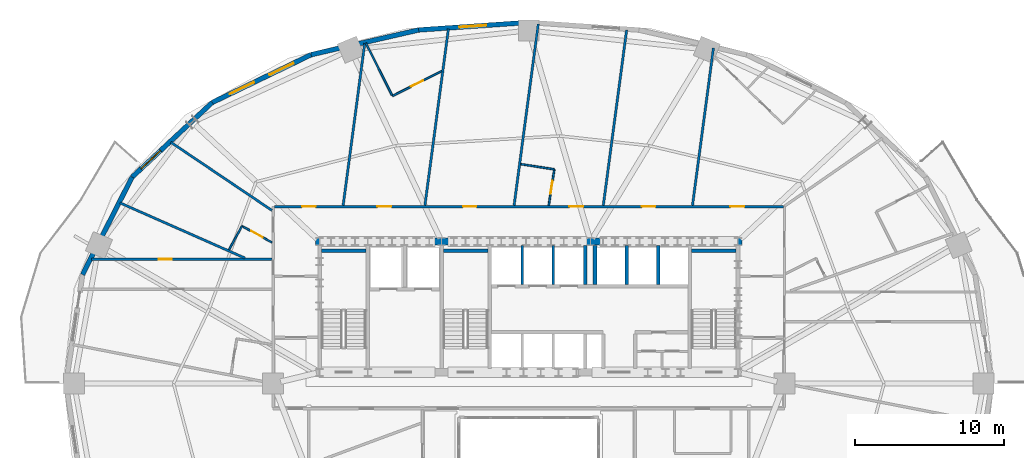
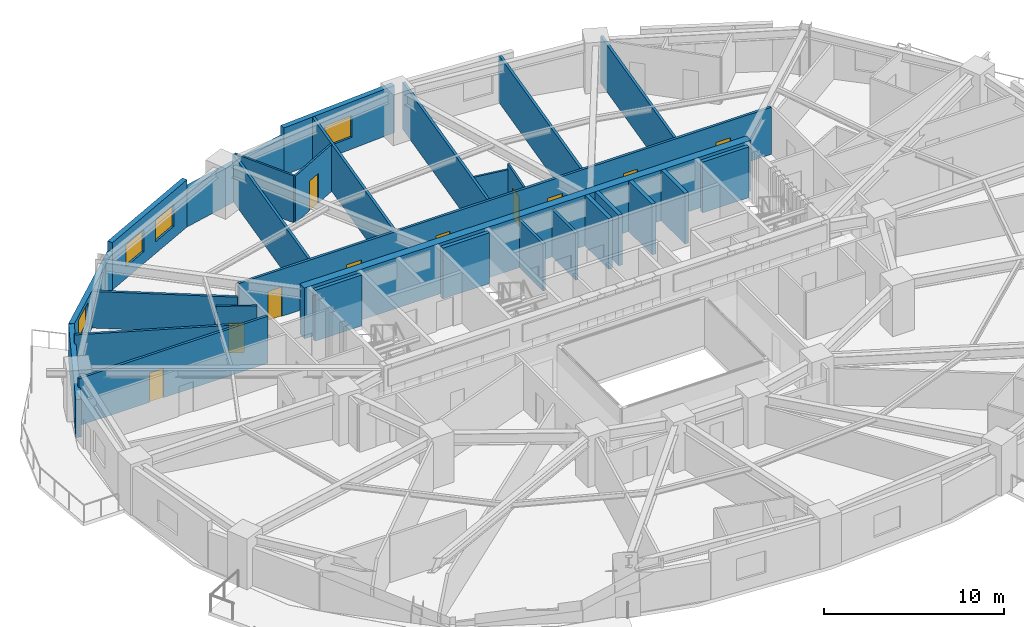
# One storey, part 12 of 17: 30 walls, 10 doors, 4 windows, 14 openings.
"""IFC4 building model written with IfcOpenShell, lengths in metres."""

from ifc_helpers import new_model, si_unit, direction, frame, frame_2d, origin, place, context, subcontext, project, spatial, rectangle, extrude, material, layer, layer_set, type_object, element, fill, save


model = new_model("IFC4")

# Units and contexts
model_context = context("Model", 3, precision=1e-05, world=origin(), true_north=direction((0.0, 1.0)))
body_context = subcontext(model_context, "Body", "Model", "MODEL_VIEW")
ifc_project = project(units=[si_unit("LENGTHUNIT", "METRE"), si_unit("AREAUNIT", "SQUARE_METRE"), si_unit("VOLUMEUNIT", "CUBIC_METRE"), si_unit("PLANEANGLEUNIT", "RADIAN"), si_unit("MASSUNIT", "GRAM", prefix="KILO")], contexts=[model_context])

# Site, building, storey
site_placement = place(None, origin())
site = spatial("IfcSite", under=ifc_project, at=site_placement, CompositionType="ELEMENT")
building_placement = place(site_placement, origin())
building = spatial("IfcBuilding", under=site, at=building_placement, Name="Haldorwick Loom Tower", CompositionType="ELEMENT")
storey_placement = place(building_placement, frame((0.0, 0.0, 58.5)))
storey = spatial("IfcBuildingStorey", under=building, at=storey_placement, Name="L15", CompositionType="ELEMENT", Elevation=58.5)

# Wall, opening, window
ifc_material_1 = material(Name="Pressed Clay Face Brick and Insulated Masonry Backup Assembly", Category="masonry")
ifc_layer_1 = layer(ifc_material_1, 0.320068359375, Name="Pressed Clay Face Brick and Insulated Masonry Backup Assembly", Category="masonry")
ifc_layer_set_1 = layer_set([ifc_layer_1], Name="Pressed Clay Face Brick and Insulated Masonry Backup Assembly")
wall_type_1 = type_object("IfcWallType", Name="ARC-WL-EXT320", PredefinedType="STANDARD", material=ifc_layer_set_1)
wall_1_placement = place(storey_placement, frame((36.0, 50.2900390625, 0.0), z_axis=(0.0, 0.0, 1.0), x_axis=(-0.997645161917, -0.068586667092, 0.0)))
wall_1 = element("IfcWall", 1, at=wall_1_placement, inside=storey, type_object=wall_type_1, Name="L15 Brick Pier and Spandrel Wall 7", PredefinedType="STANDARD", context=body_context, shape_type="SweptSolid", body=[
    extrude(rectangle(XDim=7.428955078125, YDim=0.320068359375, at=frame_2d((3.71435546875, 0.0))), origin(), (0.0, 0.0, 1.0), 3.2099609375),
])
opening_1_placement = place(wall_1_placement, frame((2.874755859375, 0.0, 0.800048828125)))
opening_1 = element("IfcOpeningElement", 2, at=opening_1_placement, cuts=wall_1, Name="Opening W-01", PredefinedType="OPENING", context=body_context, shape_type="SweptSolid", body=[
    extrude(rectangle(XDim=1.800048828125, YDim=1.47998046875, at=frame_2d((0.89990234375, 0.739990234375))), frame((0.0, 0.169921875, 0.0), z_axis=(0.0, -1.0, 0.0), x_axis=(1.0, 0.0, 0.0)), (0.0, 0.0, 1.0), 0.340087890625),
])
ifc_material_2 = material(Name="Triple-Glazed Low-E Argon Insulated Glazing Unit", Category="glass")
window_type = type_object("IfcWindowType", Name="ARC-WIN-W180", PartitioningType="SINGLE_PANEL", PredefinedType="WINDOW", material=ifc_material_2)
window_1_placement = place(opening_1_placement, origin())
window_1 = element("IfcWindow", 3, at=window_1_placement, inside=storey, type_object=window_type, Name="L15 Deep-Set Zone 7A Window 7", OverallHeight=1.47998046875, OverallWidth=1.800048828125, PartitioningType="SINGLE_PANEL", PredefinedType="WINDOW", context=body_context, shape_type="SweptSolid", body=[
    extrude(rectangle(XDim=1.800048828125, YDim=1.47998046875, at=frame_2d((0.89990234375, 0.739990234375))), frame((0.0, 0.030029296875, 0.0), z_axis=(0.0, -1.0, 0.0), x_axis=(1.0, 0.0, 0.0)), (0.0, 0.0, 1.0), 0.06005859375),
])
fill(opening_1, window_1)

# Wall
wall_2_placement = place(storey_placement, frame((28.588623046875, 49.780517578125, 0.0), z_axis=(0.0, 0.0, 1.0), x_axis=(-0.974522412345, -0.224290142088, 0.0)))
element("IfcWall", 4, at=wall_2_placement, inside=storey, type_object=wall_type_1, Name="L15 Brick Pier and Spandrel Wall 8", PredefinedType="STANDARD", context=body_context, shape_type="SweptSolid", body=[
    extrude(rectangle(XDim=7.422607421875, YDim=0.320068359375, at=frame_2d((3.71142578125, 0.0))), origin(), (0.0, 0.0, 1.0), 2.569091796875),
])

# Wall, openings, windows
wall_3_placement = place(storey_placement, frame((21.355224609375, 48.11572265625, 0.0), z_axis=(0.0, 0.0, 1.0), x_axis=(-0.900295710431, -0.435278800057, 0.0)))
wall_3 = element("IfcWall", 5, at=wall_3_placement, inside=storey, type_object=wall_type_1, Name="L15 Brick Pier and Spandrel Wall 9", PredefinedType="STANDARD", context=body_context, shape_type="SweptSolid", body=[
    extrude(rectangle(XDim=7.39697265625, YDim=0.320068359375, at=frame_2d((3.698486328125, 0.0))), origin(), (0.0, 0.0, 1.0), 3.2099609375),
])
opening_2_placement = place(wall_3_placement, frame((1.319091796875, 0.0, 0.800048828125)))
opening_2 = element("IfcOpeningElement", 6, at=opening_2_placement, cuts=wall_3, Name="Opening W-01", PredefinedType="OPENING", context=body_context, shape_type="SweptSolid", body=[
    extrude(rectangle(XDim=1.800048828125, YDim=1.47998046875, at=frame_2d((0.89990234375, 0.739990234375))), frame((0.0, 0.169921875, 0.0), z_axis=(0.0, -1.0, 0.0), x_axis=(1.0, 0.0, 0.0)), (0.0, 0.0, 1.0), 0.340087890625),
])
opening_3_placement = place(wall_3_placement, frame((4.27783203125, 0.0, 0.800048828125)))
opening_3 = element("IfcOpeningElement", 7, at=opening_3_placement, cuts=wall_3, Name="Opening W-01", PredefinedType="OPENING", context=body_context, shape_type="SweptSolid", body=[
    extrude(rectangle(XDim=1.800048828125, YDim=1.47998046875, at=frame_2d((0.89990234375, 0.739990234375))), frame((0.0, 0.169921875, 0.0), z_axis=(0.0, -1.0, 0.0), x_axis=(1.0, 0.0, 0.0)), (0.0, 0.0, 1.0), 0.340087890625),
])
window_2_placement = place(opening_2_placement, origin())
window_2 = element("IfcWindow", 8, at=window_2_placement, inside=storey, type_object=window_type, Name="L15 Deep-Set Zone 7A Window 9", OverallHeight=1.47998046875, OverallWidth=1.800048828125, PartitioningType="SINGLE_PANEL", PredefinedType="WINDOW", context=body_context, shape_type="SweptSolid", body=[
    extrude(rectangle(XDim=1.800048828125, YDim=1.47998046875, at=frame_2d((0.89990234375, 0.739990234375))), frame((0.0, 0.030029296875, 0.0), z_axis=(0.0, -1.0, 0.0), x_axis=(1.0, 0.0, 0.0)), (0.0, 0.0, 1.0), 0.06005859375),
])
fill(opening_2, window_2)
window_3_placement = place(opening_3_placement, origin())
window_3 = element("IfcWindow", 9, at=window_3_placement, inside=storey, type_object=window_type, Name="L15 Deep-Set Zone 7A Window 9", OverallHeight=1.47998046875, OverallWidth=1.800048828125, PartitioningType="SINGLE_PANEL", PredefinedType="WINDOW", context=body_context, shape_type="SweptSolid", body=[
    extrude(rectangle(XDim=1.800048828125, YDim=1.47998046875, at=frame_2d((0.89990234375, 0.739990234375))), frame((0.0, 0.030029296875, 0.0), z_axis=(0.0, -1.0, 0.0), x_axis=(1.0, 0.0, 0.0)), (0.0, 0.0, 1.0), 0.06005859375),
])
fill(opening_3, window_3)

# Wall, opening, window
wall_4_placement = place(storey_placement, frame((14.69580078125, 44.89599609375, 0.0), z_axis=(0.0, 0.0, 1.0), x_axis=(-0.73176101237, -0.681561311091, 0.0)))
wall_4 = element("IfcWall", 10, at=wall_4_placement, inside=storey, type_object=wall_type_1, Name="L15 Brick Pier and Spandrel Wall 10", PredefinedType="STANDARD", context=body_context, shape_type="SweptSolid", body=[
    extrude(rectangle(XDim=7.3583984375, YDim=0.320068359375, at=frame_2d((3.67919921875, 0.0))), origin(), (0.0, 0.0, 1.0), 2.569091796875),
])
opening_4_placement = place(wall_4_placement, frame((4.736572265625, 0.0, 0.800048828125)))
opening_4 = element("IfcOpeningElement", 11, at=opening_4_placement, cuts=wall_4, Name="Opening W-01", PredefinedType="OPENING", context=body_context, shape_type="SweptSolid", body=[
    extrude(rectangle(XDim=1.800048828125, YDim=1.47998046875, at=frame_2d((0.89990234375, 0.739990234375))), frame((0.0, 0.169921875, 0.0), z_axis=(0.0, -1.0, 0.0), x_axis=(1.0, 0.0, 0.0)), (0.0, 0.0, 1.0), 0.340087890625),
])
window_4_placement = place(opening_4_placement, origin())
window_4 = element("IfcWindow", 12, at=window_4_placement, inside=storey, type_object=window_type, Name="L15 Deep-Set Zone 7A Window 10", OverallHeight=1.47998046875, OverallWidth=1.800048828125, PartitioningType="SINGLE_PANEL", PredefinedType="WINDOW", context=body_context, shape_type="SweptSolid", body=[
    extrude(rectangle(XDim=1.800048828125, YDim=1.47998046875, at=frame_2d((0.89990234375, 0.739990234375))), frame((0.0, 0.030029296875, 0.0), z_axis=(0.0, -1.0, 0.0), x_axis=(1.0, 0.0, 0.0)), (0.0, 0.0, 1.0), 0.06005859375),
])
fill(opening_4, window_4)

# Wall
wall_5_placement = place(storey_placement, frame((9.311279296875, 39.880859375, 0.0), z_axis=(0.0, 0.0, 1.0), x_axis=(-0.452950855928, -0.891535485617, 0.0)))
element("IfcWall", 13, at=wall_5_placement, inside=storey, type_object=wall_type_1, Name="L15 Brick Pier and Spandrel Wall 11", PredefinedType="STANDARD", context=body_context, shape_type="SweptSolid", body=[
    extrude(rectangle(XDim=7.3583984375, YDim=0.320068359375, at=frame_2d((3.67919921875, 0.0))), origin(), (0.0, 0.0, 1.0), 2.569091796875),
])

# Wall, openings, doors
ifc_material_3 = material(Name="Fire-Rated Type X Gypsum Stud Assembly EI 60")
ifc_layer_2 = layer(ifc_material_3, 0.159912109375, Name="Fire-Rated Type X Gypsum Stud Assembly EI 60")
ifc_layer_set_2 = layer_set([ifc_layer_2], Name="Fire-Rated Type X Gypsum Stud Assembly EI 60")
wall_type_2 = type_object("IfcWallType", Name="ARC-WL-FIRE160", PredefinedType="PARTITIONING", material=ifc_layer_set_2)
wall_6_placement = place(storey_placement, frame((18.883056640625, 37.89990234375, 0.0), z_axis=(0.0, 0.0, 1.0), x_axis=(1.0, 0.0, 0.0)))
wall_6 = element("IfcWall", 14, at=wall_6_placement, inside=storey, type_object=wall_type_2, Name="L15 Residential Fire Partition L15-CR-N0", PredefinedType="PARTITIONING", context=body_context, shape_type="SweptSolid", body=[
    extrude(rectangle(XDim=34.23388671875, YDim=0.159912109375, at=frame_2d((17.116943359375, 0.0))), origin(), (0.0, 0.0, 1.0), 3.195068359375),
])
opening_5_placement = place(wall_6_placement, frame((30.6669921875, 0.0, 0.0)))
opening_5 = element("IfcOpeningElement", 15, at=opening_5_placement, cuts=wall_6, Name="Opening D-FL95", PredefinedType="OPENING", context=body_context, shape_type="SweptSolid", body=[
    extrude(rectangle(XDim=0.949951171875, YDim=2.0400390625, at=frame_2d((0.47509765625, 1.02001953125))), frame((0.0, 0.08984375, 0.0), z_axis=(0.0, -1.0, 0.0), x_axis=(1.0, 0.0, 0.0)), (0.0, 0.0, 1.0), 0.179931640625),
])
opening_6_placement = place(wall_6_placement, frame((24.728515625, 0.0, 0.0)))
opening_6 = element("IfcOpeningElement", 16, at=opening_6_placement, cuts=wall_6, Name="Opening D-FD60A", PredefinedType="OPENING", context=body_context, shape_type="SweptSolid", body=[
    extrude(rectangle(XDim=0.89990234375, YDim=2.0, at=frame_2d((0.449951171875, 1.0))), frame((0.0, 0.08984375, 0.0), z_axis=(0.0, -1.0, 0.0), x_axis=(1.0, 0.0, 0.0)), (0.0, 0.0, 1.0), 0.179931640625),
])
opening_7_placement = place(wall_6_placement, frame((12.69140625, 0.0, 0.0)))
opening_7 = element("IfcOpeningElement", 17, at=opening_7_placement, cuts=wall_6, Name="Opening D-FD60A", PredefinedType="OPENING", context=body_context, shape_type="SweptSolid", body=[
    extrude(rectangle(XDim=0.89990234375, YDim=2.0, at=frame_2d((0.449951171875, 1.0))), frame((0.0, 0.08984375, 0.0), z_axis=(0.0, -1.0, 0.0), x_axis=(1.0, 0.0, 0.0)), (0.0, 0.0, 1.0), 0.179931640625),
])
opening_8_placement = place(wall_6_placement, frame((6.924072265625, 0.0, 0.0)))
opening_8 = element("IfcOpeningElement", 18, at=opening_8_placement, cuts=wall_6, Name="Opening D-FL95", PredefinedType="OPENING", context=body_context, shape_type="SweptSolid", body=[
    extrude(rectangle(XDim=0.949951171875, YDim=2.0400390625, at=frame_2d((0.47509765625, 1.02001953125))), frame((0.0, 0.08984375, 0.0), z_axis=(0.0, -1.0, 0.0), x_axis=(1.0, 0.0, 0.0)), (0.0, 0.0, 1.0), 0.179931640625),
])
opening_9_placement = place(wall_6_placement, frame((1.869140625, 0.0, 0.0)))
opening_9 = element("IfcOpeningElement", 19, at=opening_9_placement, cuts=wall_6, Name="Opening D-FD60A", PredefinedType="OPENING", context=body_context, shape_type="SweptSolid", body=[
    extrude(rectangle(XDim=0.89990234375, YDim=2.0, at=frame_2d((0.449951171875, 1.0))), frame((0.0, 0.08984375, 0.0), z_axis=(0.0, -1.0, 0.0), x_axis=(1.0, 0.0, 0.0)), (0.0, 0.0, 1.0), 0.179931640625),
])
opening_10_placement = place(wall_6_placement, frame((19.844482421875, 0.0, 0.0)))
opening_10 = element("IfcOpeningElement", 20, at=opening_10_placement, cuts=wall_6, Name="Opening D-FL95", PredefinedType="OPENING", context=body_context, shape_type="SweptSolid", body=[
    extrude(rectangle(XDim=0.949951171875, YDim=2.0400390625, at=frame_2d((0.47509765625, 1.02001953125))), frame((0.0, 0.08984375, 0.0), z_axis=(0.0, -1.0, 0.0), x_axis=(1.0, 0.0, 0.0)), (0.0, 0.0, 1.0), 0.179931640625),
])
ifc_material_4 = material(Name="Hollow Steel Fire Door Assembly", Category="steel")
door_type_1 = type_object("IfcDoorType", Name="ARC-DR-FD60-90", OperationType="NOTDEFINED", PredefinedType="DOOR", material=ifc_material_4)
door_1_placement = place(opening_6_placement, frame((0.89990234375, 0.0, 0.0), z_axis=(0.0, 0.0, 1.0), x_axis=(-1.0, 0.0, 0.0)))
door_1 = element("IfcDoor", 21, at=door_1_placement, inside=storey, type_object=door_type_1, Name="L15 Co-Working Open Office 5 to L15 North Residential Corridor Door", OperationType="SINGLE_SWING_RIGHT", OverallHeight=2.0, OverallWidth=0.89990234375, PredefinedType="DOOR", context=body_context, shape_type="SweptSolid", body=[
    extrude(rectangle(XDim=0.89990234375, YDim=2.0, at=frame_2d((0.449951171875, 1.0))), frame((0.0, 0.02490234375, 0.0), z_axis=(0.0, -1.0, 0.0), x_axis=(1.0, 0.0, 0.0)), (0.0, 0.0, 1.0), 0.050048828125),
])
fill(opening_6, door_1)
door_2_placement = place(opening_7_placement, frame((0.89990234375, 0.0, 0.0), z_axis=(0.0, 0.0, 1.0), x_axis=(-1.0, 0.0, 0.0)))
door_2 = element("IfcDoor", 22, at=door_2_placement, inside=storey, type_object=door_type_1, Name="L15 Co-Working Open Office 8 to L15 North Residential Corridor Door", OperationType="SINGLE_SWING_LEFT", OverallHeight=2.0, OverallWidth=0.89990234375, PredefinedType="DOOR", context=body_context, shape_type="SweptSolid", body=[
    extrude(rectangle(XDim=0.89990234375, YDim=2.0, at=frame_2d((0.449951171875, 1.0))), frame((0.0, 0.02490234375, 0.0), z_axis=(0.0, -1.0, 0.0), x_axis=(1.0, 0.0, 0.0)), (0.0, 0.0, 1.0), 0.050048828125),
])
fill(opening_7, door_2)
door_3_placement = place(opening_9_placement, frame((0.89990234375, 0.0, 0.0), z_axis=(0.0, 0.0, 1.0), x_axis=(-1.0, 0.0, 0.0)))
door_3 = element("IfcDoor", 23, at=door_3_placement, inside=storey, type_object=door_type_1, Name="L15 Co-Working Open Office 13 to L15 North Residential Corridor Door", OperationType="SINGLE_SWING_LEFT", OverallHeight=2.0, OverallWidth=0.89990234375, PredefinedType="DOOR", context=body_context, shape_type="SweptSolid", body=[
    extrude(rectangle(XDim=0.89990234375, YDim=2.0, at=frame_2d((0.449951171875, 1.0))), frame((0.0, 0.02490234375, 0.0), z_axis=(0.0, -1.0, 0.0), x_axis=(1.0, 0.0, 0.0)), (0.0, 0.0, 1.0), 0.050048828125),
])
fill(opening_9, door_3)
ifc_material_5 = material(Name="Solid Core Birch Architectural Door")
door_type_2 = type_object("IfcDoorType", Name="ARC-DR-FLAT95", OperationType="NOTDEFINED", PredefinedType="DOOR", material=ifc_material_5)
door_4_placement = place(opening_5_placement, frame((0.949951171875, 0.0, 0.0), z_axis=(0.0, 0.0, 1.0), x_axis=(-1.0, 0.0, 0.0)))
door_4 = element("IfcDoor", 24, at=door_4_placement, inside=storey, type_object=door_type_2, Name="L15 Unit 15K Kitchen and Living Room to L15 North Residential Corridor D", OperationType="SINGLE_SWING_LEFT", OverallHeight=2.0400390625, OverallWidth=0.949951171875, PredefinedType="DOOR", context=body_context, shape_type="SweptSolid", body=[
    extrude(rectangle(XDim=0.949951171875, YDim=2.0400390625, at=frame_2d((0.47509765625, 1.02001953125))), frame((0.0, 0.02490234375, 0.0), z_axis=(0.0, -1.0, 0.0), x_axis=(1.0, 0.0, 0.0)), (0.0, 0.0, 1.0), 0.050048828125),
])
fill(opening_5, door_4)
door_5_placement = place(opening_8_placement, frame((0.949951171875, 0.0, 0.0), z_axis=(0.0, 0.0, 1.0), x_axis=(-1.0, 0.0, 0.0)))
door_5 = element("IfcDoor", 25, at=door_5_placement, inside=storey, type_object=door_type_2, Name="L15 Unit 15F Kitchen and Studio Living Room to L15 North Residential Cor", OperationType="SINGLE_SWING_RIGHT", OverallHeight=2.0400390625, OverallWidth=0.949951171875, PredefinedType="DOOR", context=body_context, shape_type="SweptSolid", body=[
    extrude(rectangle(XDim=0.949951171875, YDim=2.0400390625, at=frame_2d((0.47509765625, 1.02001953125))), frame((0.0, 0.02490234375, 0.0), z_axis=(0.0, -1.0, 0.0), x_axis=(1.0, 0.0, 0.0)), (0.0, 0.0, 1.0), 0.050048828125),
])
fill(opening_8, door_5)
door_6_placement = place(opening_10_placement, frame((0.949951171875, 0.0, 0.0), z_axis=(0.0, 0.0, 1.0), x_axis=(-1.0, 0.0, 0.0)))
door_6 = element("IfcDoor", 26, at=door_6_placement, inside=storey, type_object=door_type_2, Name="L15 Unit 15G Kitchen and Studio Living Room to L15 North Residential Cor", OperationType="SINGLE_SWING_RIGHT", OverallHeight=2.0400390625, OverallWidth=0.949951171875, PredefinedType="DOOR", context=body_context, shape_type="SweptSolid", body=[
    extrude(rectangle(XDim=0.949951171875, YDim=2.0400390625, at=frame_2d((0.47509765625, 1.02001953125))), frame((0.0, 0.02490234375, 0.0), z_axis=(0.0, -1.0, 0.0), x_axis=(1.0, 0.0, 0.0)), (0.0, 0.0, 1.0), 0.050048828125),
])
fill(opening_10, door_6)

# Wall, opening, door
wall_7_placement = place(storey_placement, frame((6.57421875, 34.35009765625, 0.0), z_axis=(0.0, 0.0, 1.0), x_axis=(1.0, 0.0, 0.0)))
wall_7 = element("IfcWall", 27, at=wall_7_placement, inside=storey, type_object=wall_type_2, Name="L15 Residential Fire Partition L15-CR-GW1", PredefinedType="PARTITIONING", context=body_context, shape_type="SweptSolid", body=[
    extrude(rectangle(XDim=12.142822265625, YDim=0.159912109375, at=frame_2d((6.0712890625, 0.0))), origin(), (0.0, 0.0, 1.0), 3.195068359375),
])
opening_11_placement = place(wall_7_placement, frame((4.517578125, 0.0, 0.0)))
opening_11 = element("IfcOpeningElement", 28, at=opening_11_placement, cuts=wall_7, Name="Opening D-FD60A", PredefinedType="OPENING", context=body_context, shape_type="SweptSolid", body=[
    extrude(rectangle(XDim=0.89990234375, YDim=2.0, at=frame_2d((0.449951171875, 1.0))), frame((0.0, 0.08984375, 0.0), z_axis=(0.0, -1.0, 0.0), x_axis=(1.0, 0.0, 0.0)), (0.0, 0.0, 1.0), 0.179931640625),
])
door_7_placement = place(opening_11_placement, frame((0.89990234375, 0.0, 0.0), z_axis=(0.0, 0.0, 1.0), x_axis=(-1.0, 0.0, 0.0)))
door_7 = element("IfcDoor", 29, at=door_7_placement, inside=storey, type_object=door_type_1, Name="L15 Resident Study Room 10 to L15 West Daylight Corridor Door", OperationType="SINGLE_SWING_RIGHT", OverallHeight=2.0, OverallWidth=0.89990234375, PredefinedType="DOOR", context=body_context, shape_type="SweptSolid", body=[
    extrude(rectangle(XDim=0.89990234375, YDim=2.0, at=frame_2d((0.449951171875, 1.0))), frame((0.0, 0.02490234375, 0.0), z_axis=(0.0, -1.0, 0.0), x_axis=(1.0, 0.0, 0.0)), (0.0, 0.0, 1.0), 0.050048828125),
])
fill(opening_11, door_7)

# Walls
wall_8_placement = place(storey_placement, frame((23.510986328125, 37.98291015625, 0.0), z_axis=(0.0, 0.0, 1.0), x_axis=(0.131887293248, 0.991264718367, 0.0)))
element("IfcWall", 30, at=wall_8_placement, inside=storey, type_object=wall_type_2, Name="L15 Residential Fire Partition L15-UPN-14", PredefinedType="PARTITIONING", context=body_context, shape_type="SweptSolid", body=[
    extrude(rectangle(XDim=10.991943359375, YDim=0.159912109375, at=frame_2d((5.49609375, 0.0))), origin(), (0.0, 0.0, 1.0), 3.195068359375),
])
wall_9_placement = place(storey_placement, frame((29.010986328125, 37.98291015625, 0.0), z_axis=(0.0, 0.0, 1.0), x_axis=(0.131892611643, 0.991264010743, 0.0)))
element("IfcWall", 31, at=wall_9_placement, inside=storey, type_object=wall_type_2, Name="L15 Residential Fire Partition L15-UPN-15", PredefinedType="PARTITIONING", context=body_context, shape_type="SweptSolid", body=[
    extrude(rectangle(XDim=11.974365234375, YDim=0.159912109375, at=frame_2d((5.9873046875, 0.0))), origin(), (0.0, 0.0, 1.0), 3.195068359375),
])
wall_10_placement = place(storey_placement, frame((35.010986328125, 37.98291015625, 0.0), z_axis=(0.0, 0.0, 1.0), x_axis=(0.131871324026, 0.991266842934, 0.0)))
element("IfcWall", 32, at=wall_10_placement, inside=storey, type_object=wall_type_2, Name="L15 Residential Fire Partition L15-UPN-16", PredefinedType="PARTITIONING", context=body_context, shape_type="SweptSolid", body=[
    extrude(rectangle(XDim=12.305908203125, YDim=0.159912109375, at=frame_2d((6.15283203125, 0.0))), origin(), (0.0, 0.0, 1.0), 3.195068359375),
])
wall_11_placement = place(storey_placement, frame((41.010986328125, 37.98291015625, 0.0), z_axis=(0.0, 0.0, 1.0), x_axis=(0.131888075112, 0.99126461434, 0.0)))
element("IfcWall", 33, at=wall_11_placement, inside=storey, type_object=wall_type_2, Name="L15 Residential Fire Partition L15-UPN-17", PredefinedType="PARTITIONING", context=body_context, shape_type="SweptSolid", body=[
    extrude(rectangle(XDim=11.8935546875, YDim=0.159912109375, at=frame_2d((5.94677734375, 0.0))), origin(), (0.0, 0.0, 1.0), 3.195068359375),
])
wall_12_placement = place(storey_placement, frame((47.010986328125, 37.98291015625, 0.0), z_axis=(0.0, 0.0, 1.0), x_axis=(0.131889483292, 0.991264426981, 0.0)))
element("IfcWall", 34, at=wall_12_placement, inside=storey, type_object=wall_type_2, Name="L15 Residential Fire Partition L15-UPN-18", PredefinedType="PARTITIONING", context=body_context, shape_type="SweptSolid", body=[
    extrude(rectangle(XDim=10.671630859375, YDim=0.159912109375, at=frame_2d((5.3359375, 0.0))), origin(), (0.0, 0.0, 1.0), 3.195068359375),
])
wall_13_placement = place(storey_placement, frame((16.90673828125, 34.43310546875, 0.0), z_axis=(0.0, 0.0, 1.0), x_axis=(-0.914755811252, 0.404007185309, 0.0)))
element("IfcWall", 35, at=wall_13_placement, inside=storey, type_object=wall_type_2, Name="L15 Suite Split Wall", PredefinedType="PARTITIONING", context=body_context, shape_type="SweptSolid", body=[
    extrude(rectangle(XDim=9.187744140625, YDim=0.159912109375, at=frame_2d((4.59375, 0.0))), origin(), (0.0, 0.0, 1.0), 3.195068359375),
])
wall_14_placement = place(storey_placement, frame((18.717041015625, 37.6435546875, 0.0), z_axis=(0.0, 0.0, 1.0), x_axis=(-0.829350156304, 0.558729199378, 0.0)))
element("IfcWall", 36, at=wall_14_placement, inside=storey, type_object=wall_type_2, Name="L15 Suite Split Wall", PredefinedType="PARTITIONING", context=body_context, shape_type="SweptSolid", body=[
    extrude(rectangle(XDim=8.195068359375, YDim=0.159912109375, at=frame_2d((4.09765625, 0.0))), origin(), (0.0, 0.0, 1.0), 2.489990234375),
])

# Wall, opening, door
ifc_material_6 = material(Name="Acoustic Gypsum Stud Assembly STC 55")
ifc_layer_3 = layer(ifc_material_6, 0.1201171875, Name="Acoustic Gypsum Stud Assembly STC 55")
ifc_layer_set_3 = layer_set([ifc_layer_3], Name="Acoustic Gypsum Stud Assembly STC 55")
wall_type_3 = type_object("IfcWallType", Name="ARC-WL-PART120", PredefinedType="PARTITIONING", material=ifc_layer_set_3)
wall_15_placement = place(storey_placement, frame((30.127685546875, 47.004638671875, 0.0), z_axis=(0.0, 0.0, 1.0), x_axis=(-0.892756984932, -0.450538528713, 0.0)))
wall_15 = element("IfcWall", 37, at=wall_15_placement, inside=storey, type_object=wall_type_3, Name="L15 Unit 15F Interior Partition", PredefinedType="PARTITIONING", context=body_context, shape_type="SweptSolid", body=[
    extrude(rectangle(XDim=3.697265625, YDim=0.1201171875, at=frame_2d((1.8486328125, 0.0))), origin(), (0.0, 0.0, 1.0), 3.195068359375),
])
opening_12_placement = place(wall_15_placement, frame((1.40869140625, 0.0, 0.0)))
opening_12 = element("IfcOpeningElement", 38, at=opening_12_placement, cuts=wall_15, Name="Opening D-BT88", PredefinedType="OPENING", context=body_context, shape_type="SweptSolid", body=[
    extrude(rectangle(XDim=0.8798828125, YDim=2.02001953125, at=frame_2d((0.43994140625, 1.010009765625))), frame((0.0, 0.070068359375, 0.0), z_axis=(0.0, -1.0, 0.0), x_axis=(1.0, 0.0, 0.0)), (0.0, 0.0, 1.0), 0.14013671875),
])
door_type_3 = type_object("IfcDoorType", Name="ARC-DR-BATH88", OperationType="NOTDEFINED", PredefinedType="DOOR", material=ifc_material_5)
door_8_placement = place(opening_12_placement, origin())
door_8 = element("IfcDoor", 39, at=door_8_placement, inside=storey, type_object=door_type_3, Name="L15 Unit 15F Kitchen and Studio Living Room to Unit 15F Bathroom Door", OperationType="SINGLE_SWING_RIGHT", OverallHeight=2.02001953125, OverallWidth=0.8798828125, PredefinedType="DOOR", context=body_context, shape_type="SweptSolid", body=[
    extrude(rectangle(XDim=0.8798828125, YDim=2.02001953125, at=frame_2d((0.43994140625, 1.010009765625))), frame((0.0, 0.02490234375, 0.0), z_axis=(0.0, -1.0, 0.0), x_axis=(1.0, 0.0, 0.0)), (0.0, 0.0, 1.0), 0.050048828125),
])
fill(opening_12, door_8)

# Walls
wall_16_placement = place(storey_placement, frame((26.79833984375, 45.39501953125, 0.0), z_axis=(0.0, 0.0, 1.0), x_axis=(-0.450526516903, 0.892763046708, 0.0)))
element("IfcWall", 40, at=wall_16_placement, inside=storey, type_object=wall_type_3, Name="L15 Unit 15F Interior Partition", PredefinedType="PARTITIONING", context=body_context, shape_type="SweptSolid", body=[
    extrude(rectangle(XDim=3.916748046875, YDim=0.1201171875, at=frame_2d((1.95849609375, 0.0))), origin(), (0.0, 0.0, 1.0), 3.195068359375),
])
wall_17_placement = place(storey_placement, frame((37.716796875, 40.402099609375, 0.0), z_axis=(0.0, 0.0, 1.0), x_axis=(-0.988131638299, 0.153609457367, 0.0)))
element("IfcWall", 41, at=wall_17_placement, inside=storey, type_object=wall_type_3, Name="L15 Unit 15G Interior Partition", PredefinedType="PARTITIONING", context=body_context, shape_type="SweptSolid", body=[
    extrude(rectangle(XDim=2.28076171875, YDim=0.1201171875, at=frame_2d((1.140380859375, 0.0))), origin(), (0.0, 0.0, 1.0), 2.826904296875),
])

# Wall, opening, door
wall_18_placement = place(storey_placement, frame((37.341064453125, 37.98291015625, 0.0), z_axis=(0.0, 0.0, 1.0), x_axis=(0.153473321851, 0.988152791566, 0.0)))
wall_18 = element("IfcWall", 42, at=wall_18_placement, inside=storey, type_object=wall_type_3, Name="L15 Unit 15G Interior Partition", PredefinedType="PARTITIONING", context=body_context, shape_type="SweptSolid", body=[
    extrude(rectangle(XDim=2.4482421875, YDim=0.1201171875, at=frame_2d((1.22412109375, 0.0))), origin(), (0.0, 0.0, 1.0), 3.195068359375),
])
opening_13_placement = place(wall_18_placement, frame((0.7841796875, 0.0, 0.0)))
opening_13 = element("IfcOpeningElement", 43, at=opening_13_placement, cuts=wall_18, Name="Opening D-BT88", PredefinedType="OPENING", context=body_context, shape_type="SweptSolid", body=[
    extrude(rectangle(XDim=0.8798828125, YDim=2.02001953125, at=frame_2d((0.43994140625, 1.010009765625))), frame((0.0, 0.070068359375, 0.0), z_axis=(0.0, -1.0, 0.0), x_axis=(1.0, 0.0, 0.0)), (0.0, 0.0, 1.0), 0.14013671875),
])
door_9_placement = place(opening_13_placement, origin())
door_9 = element("IfcDoor", 44, at=door_9_placement, inside=storey, type_object=door_type_3, Name="L15 Unit 15G Bathroom to Unit 15G Kitchen and Studio Living Room Door", OperationType="SINGLE_SWING_RIGHT", OverallHeight=2.02001953125, OverallWidth=0.8798828125, PredefinedType="DOOR", context=body_context, shape_type="SweptSolid", body=[
    extrude(rectangle(XDim=0.8798828125, YDim=2.02001953125, at=frame_2d((0.43994140625, 1.010009765625))), frame((0.0, 0.02490234375, 0.0), z_axis=(0.0, -1.0, 0.0), x_axis=(1.0, 0.0, 0.0)), (0.0, 0.0, 1.0), 0.050048828125),
])
fill(opening_13, door_9)

# Wall
wall_19_placement = place(storey_placement, frame((16.705322265625, 36.589111328125, 0.0), z_axis=(0.0, 0.0, 1.0), x_axis=(-0.48048220159, -0.877004477728, 0.0)))
element("IfcWall", 45, at=wall_19_placement, inside=storey, type_object=wall_type_3, Name="L15 Unit 15L Interior Partition", PredefinedType="PARTITIONING", context=body_context, shape_type="SweptSolid", body=[
    extrude(rectangle(XDim=1.814453125, YDim=0.1201171875, at=frame_2d((0.9072265625, 0.0))), origin(), (0.0, 0.0, 1.0), 2.826904296875),
])

# Wall, opening, door
wall_20_placement = place(storey_placement, frame((18.717041015625, 35.4873046875, 0.0), z_axis=(0.0, 0.0, 1.0), x_axis=(-0.877068507401, 0.480365312367, 0.0)))
wall_20 = element("IfcWall", 46, at=wall_20_placement, inside=storey, type_object=wall_type_3, Name="L15 Unit 15L Interior Partition", PredefinedType="PARTITIONING", context=body_context, shape_type="SweptSolid", body=[
    extrude(rectangle(XDim=2.293701171875, YDim=0.1201171875, at=frame_2d((1.14697265625, 0.0))), origin(), (0.0, 0.0, 1.0), 3.195068359375),
])
opening_14_placement = place(wall_20_placement, frame((0.706787109375, 0.0, 0.0)))
opening_14 = element("IfcOpeningElement", 47, at=opening_14_placement, cuts=wall_20, Name="Opening D-BT88", PredefinedType="OPENING", context=body_context, shape_type="SweptSolid", body=[
    extrude(rectangle(XDim=0.8798828125, YDim=2.02001953125, at=frame_2d((0.43994140625, 1.010009765625))), frame((0.0, 0.070068359375, 0.0), z_axis=(0.0, -1.0, 0.0), x_axis=(1.0, 0.0, 0.0)), (0.0, 0.0, 1.0), 0.14013671875),
])
door_10_placement = place(opening_14_placement, origin())
door_10 = element("IfcDoor", 48, at=door_10_placement, inside=storey, type_object=door_type_3, Name="L15 Unit 15L Bathroom to Unit 15L Kitchen and Studio Living Room Door", OperationType="SINGLE_SWING_RIGHT", OverallHeight=2.02001953125, OverallWidth=0.8798828125, PredefinedType="DOOR", context=body_context, shape_type="SweptSolid", body=[
    extrude(rectangle(XDim=0.8798828125, YDim=2.02001953125, at=frame_2d((0.43994140625, 1.010009765625))), frame((0.0, 0.02490234375, 0.0), z_axis=(0.0, -1.0, 0.0), x_axis=(1.0, 0.0, 0.0)), (0.0, 0.0, 1.0), 0.050048828125),
])
fill(opening_14, door_10)

# Walls
ifc_material_7 = material(Name="Fire-Rated Type X Gypsum Stud Assembly EI 120")
ifc_layer_4 = layer(ifc_material_7, 0.1650390625, Name="Fire-Rated Type X Gypsum Stud Assembly EI 120")
ifc_layer_set_4 = layer_set([ifc_layer_4], Name="Fire-Rated Type X Gypsum Stud Assembly EI 120")
wall_type_4 = type_object("IfcWallType", Name="ARC-WL-SHAFT160", PredefinedType="MOVABLE", material=ifc_layer_set_4)
for number, where, z_axis, x_axis, name in (
    (49, (35.550048828125, 32.673095703125, 0.0), (0.0, 0.0, 1.0), (0.0, 1.0, 0.0), "L15 Low-Rise Hoistway Divider 1"),
    (50, (37.64990234375, 32.673095703125, 0.0), (0.0, 0.0, 1.0), (0.0, 1.0, 0.0), "L15 Low-Rise Hoistway Divider 2"),
):
    element("IfcWall", number, at=place(storey_placement, frame(where, z_axis=z_axis, x_axis=x_axis)), inside=storey, type_object=wall_type_4, Name=name, PredefinedType="MOVABLE", context=body_context, shape_type="SweptSolid", body=[
        extrude(rectangle(XDim=2.6240234375, YDim=0.159912109375, at=frame_2d((1.31201171875, 0.0))), origin(), (0.0, 0.0, 1.0), 3.195068359375),
    ])
ifc_material_8 = material(Name="Concrete C60 (60 MPa)", Category="concrete")
ifc_layer_5 = layer(ifc_material_8, 0.5, Name="Concrete C60 (60 MPa)", Category="concrete")
ifc_layer_set_5 = layer_set([ifc_layer_5], Name="Concrete C60 (60 MPa)")
wall_type_5 = type_object("IfcWallType", Name="STR-WL-CORE500", PredefinedType="SHEAR", material=ifc_layer_set_5)
wall_21_placement = place(storey_placement, frame((50.35009765625, 35.550048828125, 0.0), z_axis=(0.0, 0.0, 1.0), x_axis=(-1.0, 0.0, 0.0)))
element("IfcWall", 51, at=wall_21_placement, inside=storey, type_object=wall_type_5, Name="L15 Core Shear Wall N", PredefinedType="SHEAR", context=body_context, shape_type="SweptSolid", body=[
    extrude(rectangle(XDim=28.7001953125, YDim=0.5, at=frame_2d((14.35009765625, 0.0))), origin(), (0.0, 0.0, 1.0), 3.449951171875),
])
ifc_material_9 = material(Name="Concrete C50 (50 MPa)", Category="concrete")
ifc_layer_6 = layer(ifc_material_9, 0.239990234375, Name="Concrete C50 (50 MPa)", Category="concrete")
ifc_layer_set_6 = layer_set([ifc_layer_6], Name="Concrete C50 (50 MPa)")
wall_type_6 = type_object("IfcWallType", Name="STR-WL-SHAFT240", PredefinedType="SHEAR", material=ifc_layer_set_6)
for number, where, z_axis, x_axis, name in (
    (52, (22.052978515625, 34.919921875, 0.0), (0.0, 0.0, 1.0), (1.0, 0.0, 0.0), "L15 Core Shear Wall 1N"),
    (53, (30.2529296875, 34.919921875, 0.0), (0.0, 0.0, 1.0), (1.0, 0.0, 0.0), "L15 Core Shear Wall 3N"),
    (54, (46.952880859375, 34.919921875, 0.0), (0.0, 0.0, 1.0), (1.0, 0.0, 0.0), "L15 Core Shear Wall 4N"),
):
    element("IfcWall", number, at=place(storey_placement, frame(where, z_axis=z_axis, x_axis=x_axis)), inside=storey, type_object=wall_type_6, Name=name, PredefinedType="SHEAR", context=body_context, shape_type="SweptSolid", body=[
        extrude(rectangle(XDim=2.994140625, YDim=0.239990234375, at=frame_2d((1.4970703125, 0.0))), origin(), (0.0, 0.0, 1.0), 3.449951171875),
    ])
for number, where, z_axis, x_axis, name in (
    (55, (39.800048828125, 32.673095703125, 0.0), (0.0, 0.0, 1.0), (0.0, 1.0, 0.0), "L15 Core Shear Wall LHW"),
    (56, (40.449951171875, 32.673095703125, 0.0), (0.0, 0.0, 1.0), (0.0, 1.0, 0.0), "L15 Core Shear Wall H0"),
    (57, (42.60009765625, 32.673095703125, 0.0), (0.0, 0.0, 1.0), (0.0, 1.0, 0.0), "L15 Core Shear Wall H1"),
    (58, (44.699951171875, 32.673095703125, 0.0), (0.0, 0.0, 1.0), (0.0, 1.0, 0.0), "L15 Core Shear Wall H2"),
):
    element("IfcWall", number, at=place(storey_placement, frame(where, z_axis=z_axis, x_axis=x_axis)), inside=storey, type_object=wall_type_6, Name=name, PredefinedType="SHEAR", context=body_context, shape_type="SweptSolid", body=[
        extrude(rectangle(XDim=2.6240234375, YDim=0.239990234375, at=frame_2d((1.31201171875, 0.0))), origin(), (0.0, 0.0, 1.0), 3.449951171875),
    ])

save(model, "model.ifc")
